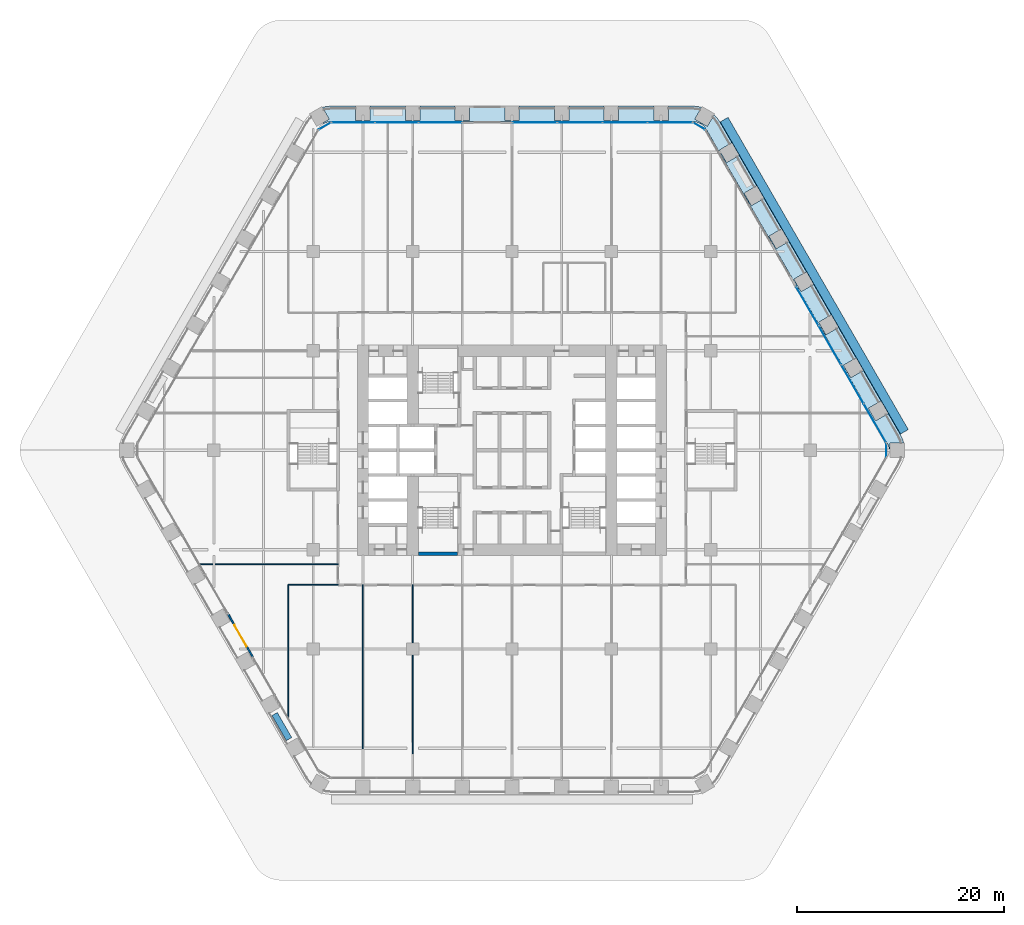
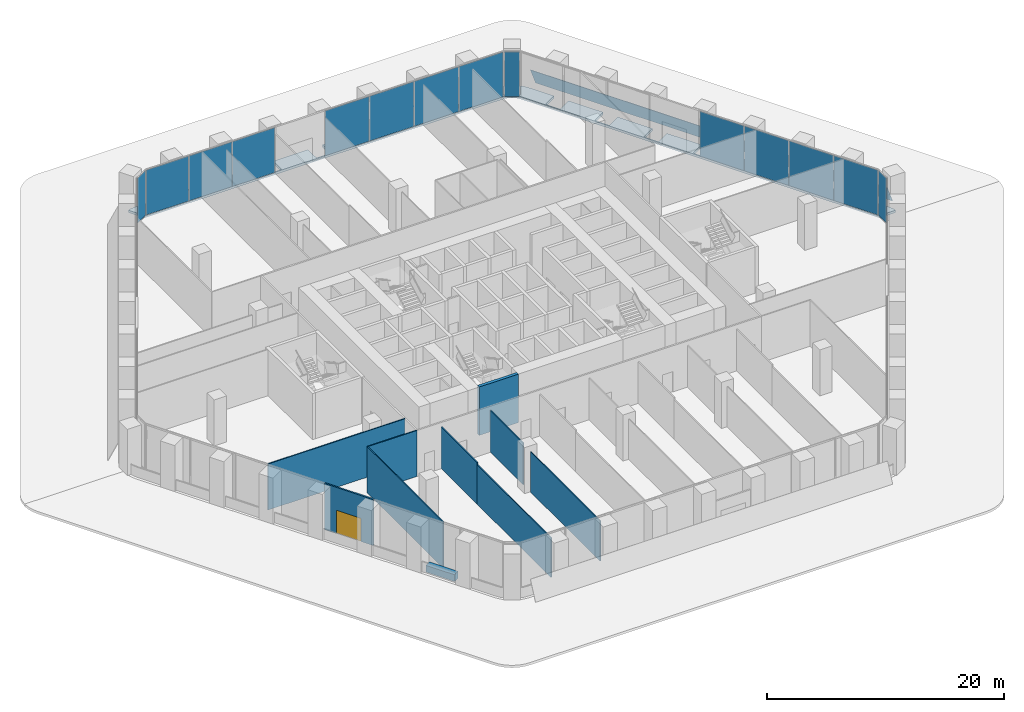
# One storey, part 18 of 29: 15 plates, 10 walls, 2 slabs, 1 door, 1 opening, 6 elements without a shape of their own.
"""IFC4 building model written with IfcOpenShell, lengths in metres."""

from ifc_helpers import new_model, si_unit, direction, frame, frame_2d, origin, origin_2d, place, context, subcontext, project, spatial, polyline, rectangle, outline, extrude, material, layer, layer_set, type_object, element, fill, aggregate, save


model = new_model("IFC4")

# Units and contexts
model_context = context("Model", 3, precision=1e-05, world=origin(), true_north=direction((0.0, 1.0)))
body_context = subcontext(model_context, "Body", "Model", "MODEL_VIEW")
ifc_project = project(units=[si_unit("LENGTHUNIT", "METRE"), si_unit("AREAUNIT", "SQUARE_METRE"), si_unit("VOLUMEUNIT", "CUBIC_METRE"), si_unit("PLANEANGLEUNIT", "RADIAN"), si_unit("MASSUNIT", "GRAM", prefix="KILO")], contexts=[model_context])

# Site, building, storey
site_placement = place(None, origin())
site = spatial("IfcSite", under=ifc_project, at=site_placement, CompositionType="ELEMENT")
building_placement = place(site_placement, origin())
building = spatial("IfcBuilding", under=site, at=building_placement, Name="Kolab Exchange Tower", CompositionType="ELEMENT")
storey_placement = place(building_placement, frame((0.0, 0.0, 17.39990234375)))
storey = spatial("IfcBuildingStorey", under=building, at=storey_placement, Name="L03", CompositionType="ELEMENT", Elevation=17.39990234375)

# Slabs
ifc_material_1 = material(Name="Concrete C35/45", Category="concrete")
ifc_layer_1 = layer(ifc_material_1, 0.25)
ifc_layer_set_1 = layer_set([ifc_layer_1], Name="Concrete C35/45")
slab_type = type_object("IfcSlabType", Name="LOGGIA SLAB 250", PredefinedType="FLOOR", material=ifc_layer_set_1)
slab_1_placement = place(storey_placement, frame((0.0, 0.0, -0.25)))
element("IfcSlab", 1, at=slab_1_placement, inside=storey, type_object=slab_type, Name="slab/L03/loggia/0-0", PredefinedType="FLOOR", context=body_context, shape_type="SweptSolid", body=[
    extrude(outline(polyline([(18.218017578125, 31.554443359375), (18.26806640625, 31.64111328125), (17.66162109375, 31.990966796875), (18.31494140625, 33.122314453125), (17.989013671875, 33.209716796875), (17.468017578125, 33.25537109375), (15.10009765625, 33.25537109375), (15.10009765625, 31.85546875), (13.699951171875, 31.85546875), (13.699951171875, 33.25537109375), (10.300048828125, 33.25537109375), (10.300048828125, 31.85546875), (8.89990234375, 31.85546875), (8.89990234375, 33.25537109375), (5.5, 33.25537109375), (5.5, 31.85546875), (4.10009765625, 31.85546875), (4.10009765625, 33.25537109375), (0.699951171875, 33.25537109375), (0.699951171875, 31.85546875), (-0.699951171875, 31.85546875), (-0.699951171875, 33.25537109375), (-4.10009765625, 33.25537109375), (-4.10009765625, 31.85546875), (-5.5, 31.85546875), (-5.5, 33.25537109375), (-8.89990234375, 33.25537109375), (-8.89990234375, 31.85546875), (-10.300048828125, 31.85546875), (-10.300048828125, 33.25537109375), (-13.699951171875, 33.25537109375), (-13.699951171875, 31.85546875), (-15.10009765625, 31.85546875), (-15.10009765625, 33.25537109375), (-17.468017578125, 33.25537109375), (-17.989013671875, 33.209716796875), (-18.31494140625, 33.122314453125), (-17.66162109375, 31.990966796875), (-18.26806640625, 31.64111328125), (-18.218017578125, 31.554443359375), (-17.98095703125, 31.664794921875), (-17.728515625, 31.732666015625), (-17.468017578125, 31.75537109375), (17.468017578125, 31.75537109375), (17.728515625, 31.732666015625), (17.98095703125, 31.664794921875), (18.218017578125, 31.554443359375)])), origin(), (0.0, 0.0, 1.0), 0.25),
])
slab_2_placement = place(storey_placement, frame((0.0, 0.0, -0.25)))
element("IfcSlab", 2, at=slab_2_placement, inside=storey, type_object=slab_type, Name="slab/L03/loggia/1-0", PredefinedType="FLOOR", context=body_context, shape_type="SweptSolid", body=[
    extrude(outline(polyline([(36.435791015625, 0.0), (36.535888671875, 0.0), (36.535888671875, 0.699951171875), (37.84228515625, 0.699951171875), (37.7548828125, 1.026123046875), (37.533935546875, 1.5), (36.35009765625, 3.55078125), (35.137451171875, 2.8505859375), (34.4375, 4.063232421875), (35.64990234375, 4.76318359375), (33.949951171875, 7.70751953125), (32.737548828125, 7.007568359375), (32.03759765625, 8.219970703125), (33.25, 8.920166015625), (31.550048828125, 11.864501953125), (30.337646484375, 11.16455078125), (29.637451171875, 12.376953125), (30.85009765625, 13.076904296875), (29.14990234375, 16.021484375), (27.9375, 15.321533203125), (27.237548828125, 16.533935546875), (28.449951171875, 17.23388671875), (26.75, 20.178466796875), (25.53759765625, 19.478271484375), (24.837646484375, 20.69091796875), (26.050048828125, 21.390869140625), (24.35009765625, 24.335205078125), (23.137451171875, 23.63525390625), (22.4375, 24.84765625), (23.64990234375, 25.5478515625), (21.949951171875, 28.4921875), (20.737548828125, 27.792236328125), (20.03759765625, 29.004638671875), (21.25, 29.70458984375), (20.06591796875, 31.75537109375), (19.76611328125, 32.183837890625), (19.52734375, 32.42236328125), (18.874267578125, 31.291015625), (18.26806640625, 31.64111328125), (18.218017578125, 31.554443359375), (18.43212890625, 31.404541015625), (18.616943359375, 31.219482421875), (18.76708984375, 31.00537109375), (36.23486328125, 0.75), (36.345458984375, 0.512939453125), (36.4130859375, 0.260498046875), (36.435791015625, 0.0)])), origin(), (0.0, 0.0, 1.0), 0.25),
])

# Plate
ifc_material_2 = material(Name="Laminated glass, clear", Category="glass")
ifc_layer_2 = layer(ifc_material_2, 0.0400390625)
ifc_layer_set_2 = layer_set([ifc_layer_2], Name="Laminated glass, clear")
plate_type_1 = type_object("IfcPlateType", Name="OUTER SKIN LAMINATED GLASS SHEET 40", PredefinedType="SHEET", material=ifc_layer_set_2)
plate_1_placement = place(storey_placement, frame((20.874755859375, 32.16455078125, 0.027099609375), z_axis=(0.784858761491, 0.453140004368, 0.422682931938), x_axis=(0.500001313459, -0.866024645457, 0.0)))
element("IfcPlate", 3, at=plate_1_placement, inside=storey, type_object=plate_type_1, Name="Outer skin", PredefinedType="SHEET", context=body_context, shape_type="SweptSolid", body=[
    extrude(outline(polyline([(0.0, 0.0), (34.83584598906518, 0.0), (34.83576146664973, -2.0554330275383514), (-8.452241545063784e-05, -2.0554330275383506), (0.0, 0.0)])), origin(), (0.0, 0.0, -1.0), 0.0400390625),
])

# Curtain wall, plates
ifc_material_3 = material(Name="Aluminium EN AW-6063 T6", Category="aluminium")
curtain_wall_type = type_object("IfcCurtainWallType", Name="UNITISED LOW ZONE CURTAIN WALL", PredefinedType="NOTDEFINED", material=ifc_material_3)
curtain_wall_1_placement = place(storey_placement, origin())
curtain_wall_1 = element("IfcCurtainWall", 4, at=curtain_wall_1_placement, inside=storey, type_object=curtain_wall_type, Name="cw/L03/F1-1", PredefinedType="NOTDEFINED")
ifc_material_4 = material(Name="Clear insulated glazing unit", Category="glass")
ifc_layer_3 = layer(ifc_material_4, 0.02392578125)
ifc_layer_set_3 = layer_set([ifc_layer_3], Name="Clear insulated glazing unit")
plate_type_2 = type_object("IfcPlateType", Name="UNITISED LOW ZONE GLASS PANEL 24", PredefinedType="CURTAIN_PANEL", material=ifc_layer_set_3)
plate_2_placement = place(storey_placement, frame((-15.341552734375, 31.67529296875, 0.06005859375), z_axis=(0.0, 0.0, 1.0), x_axis=(1.0, 0.0, 0.0)))
plate_2 = element("IfcPlate", 5, at=plate_2_placement, type_object=plate_type_2, Name="CW1 panel 1.1", PredefinedType="CURTAIN_PANEL", context=body_context, shape_type="SweptSolid", body=[
    extrude(rectangle(XDim=4.132568359375, YDim=0.02392578125, at=origin_2d()), origin(), (0.0, 0.0, 1.0), 4.6298828125),
])
plate_3_placement = place(storey_placement, frame((-11.134033203125, 31.67529296875, 0.06005859375), z_axis=(0.0, 0.0, 1.0), x_axis=(1.0, 0.0, 0.0)))
plate_3 = element("IfcPlate", 6, at=plate_3_placement, type_object=plate_type_2, Name="CW1 panel 2.1", PredefinedType="CURTAIN_PANEL", context=body_context, shape_type="SweptSolid", body=[
    extrude(rectangle(XDim=4.16259765625, YDim=0.02392578125, at=origin_2d()), origin(), (0.0, 0.0, 1.0), 4.6298828125),
])
plate_4_placement = place(storey_placement, frame((-6.92626953125, 31.67529296875, 0.06005859375), z_axis=(0.0, 0.0, 1.0), x_axis=(1.0, 0.0, 0.0)))
plate_4 = element("IfcPlate", 7, at=plate_4_placement, type_object=plate_type_2, Name="CW1 panel 3.1", PredefinedType="CURTAIN_PANEL", context=body_context, shape_type="SweptSolid", body=[
    extrude(rectangle(XDim=4.132568359375, YDim=0.02392578125, at=origin_2d()), origin(), (0.0, 0.0, 1.0), 4.6298828125),
])
aggregate(curtain_wall_1, [plate_2, plate_3, plate_4])

curtain_wall_2_placement = place(storey_placement, origin())
curtain_wall_2 = element("IfcCurtainWall", 8, at=curtain_wall_2_placement, inside=storey, type_object=curtain_wall_type, Name="cw/L03/F1-2", PredefinedType="NOTDEFINED")
plate_5_placement = place(storey_placement, frame((2.198486328125, 31.67529296875, 0.06005859375), z_axis=(0.0, 0.0, 1.0), x_axis=(1.0, 0.0, 0.0)))
plate_5 = element("IfcPlate", 9, at=plate_5_placement, type_object=plate_type_2, Name="CW1 panel 1.1", PredefinedType="CURTAIN_PANEL", context=body_context, shape_type="SweptSolid", body=[
    extrude(rectangle(XDim=4.277099609375, YDim=0.02392578125, at=origin_2d()), origin(), (0.0, 0.0, 1.0), 4.6298828125),
])
plate_6_placement = place(storey_placement, frame((6.550537109375, 31.67529296875, 0.06005859375), z_axis=(0.0, 0.0, 1.0), x_axis=(1.0, 0.0, 0.0)))
plate_6 = element("IfcPlate", 10, at=plate_6_placement, type_object=plate_type_2, Name="CW1 panel 2.1", PredefinedType="CURTAIN_PANEL", context=body_context, shape_type="SweptSolid", body=[
    extrude(rectangle(XDim=4.306884765625, YDim=0.02392578125, at=origin_2d()), origin(), (0.0, 0.0, 1.0), 4.6298828125),
])
plate_7_placement = place(storey_placement, frame((10.91748046875, 31.67529296875, 0.06005859375), z_axis=(0.0, 0.0, 1.0), x_axis=(1.0, 0.0, 0.0)))
plate_7 = element("IfcPlate", 11, at=plate_7_placement, type_object=plate_type_2, Name="CW1 panel 3.1", PredefinedType="CURTAIN_PANEL", context=body_context, shape_type="SweptSolid", body=[
    extrude(rectangle(XDim=4.306884765625, YDim=0.02392578125, at=origin_2d()), origin(), (0.0, 0.0, 1.0), 4.6298828125),
])
plate_8_placement = place(storey_placement, frame((15.26953125, 31.67529296875, 0.06005859375), z_axis=(0.0, 0.0, 1.0), x_axis=(1.0, 0.0, 0.0)))
plate_8 = element("IfcPlate", 12, at=plate_8_placement, type_object=plate_type_2, Name="CW1 panel 4.1", PredefinedType="CURTAIN_PANEL", context=body_context, shape_type="SweptSolid", body=[
    extrude(rectangle(XDim=4.277099609375, YDim=0.02392578125, at=origin_2d()), origin(), (0.0, 0.0, 1.0), 4.6298828125),
])
aggregate(curtain_wall_2, [plate_5, plate_6, plate_7, plate_8])

curtain_wall_3_placement = place(storey_placement, origin())
curtain_wall_3 = element("IfcCurtainWall", 13, at=curtain_wall_3_placement, inside=storey, type_object=curtain_wall_type, Name="cw/L03/F2-2", PredefinedType="NOTDEFINED")
plate_9_placement = place(storey_placement, frame((28.531005859375, 13.933837890625, 0.06005859375), z_axis=(0.0, 0.0, 1.0), x_axis=(0.499999968274, -0.866025422102, 0.0)))
plate_9 = element("IfcPlate", 14, at=plate_9_placement, type_object=plate_type_2, Name="CW1 panel 1.1", PredefinedType="CURTAIN_PANEL", context=body_context, shape_type="SweptSolid", body=[
    extrude(rectangle(XDim=4.277099609375, YDim=0.02392578125, at=origin_2d()), origin(), (0.0, 0.0, 1.0), 4.6298828125),
])
plate_10_placement = place(storey_placement, frame((30.70703125, 10.164794921875, 0.06005859375), z_axis=(0.0, 0.0, 1.0), x_axis=(0.499999968274, -0.866025422102, 0.0)))
plate_10 = element("IfcPlate", 15, at=plate_10_placement, type_object=plate_type_2, Name="CW1 panel 2.1", PredefinedType="CURTAIN_PANEL", context=body_context, shape_type="SweptSolid", body=[
    extrude(rectangle(XDim=4.306884765625, YDim=0.02392578125, at=origin_2d()), origin(), (0.0, 0.0, 1.0), 4.6298828125),
])
plate_11_placement = place(storey_placement, frame((32.890380859375, 6.3828125, 0.06005859375), z_axis=(0.0, 0.0, 1.0), x_axis=(0.499999968274, -0.866025422102, 0.0)))
plate_11 = element("IfcPlate", 16, at=plate_11_placement, type_object=plate_type_2, Name="CW1 panel 3.1", PredefinedType="CURTAIN_PANEL", context=body_context, shape_type="SweptSolid", body=[
    extrude(rectangle(XDim=4.306884765625, YDim=0.02392578125, at=origin_2d()), origin(), (0.0, 0.0, 1.0), 4.6298828125),
])
plate_12_placement = place(storey_placement, frame((35.06640625, 2.614013671875, 0.06005859375), z_axis=(0.0, 0.0, 1.0), x_axis=(0.499999968274, -0.866025422102, 0.0)))
plate_12 = element("IfcPlate", 17, at=plate_12_placement, type_object=plate_type_2, Name="CW1 panel 4.1", PredefinedType="CURTAIN_PANEL", context=body_context, shape_type="SweptSolid", body=[
    extrude(rectangle(XDim=4.277099609375, YDim=0.02392578125, at=origin_2d()), origin(), (0.0, 0.0, 1.0), 4.6298828125),
])
aggregate(curtain_wall_3, [plate_9, plate_10, plate_11, plate_12])

# Curtain wall, plate
curtain_wall_4_placement = place(storey_placement, origin())
curtain_wall_4 = element("IfcCurtainWall", 18, at=curtain_wall_4_placement, inside=storey, type_object=curtain_wall_type, Name="cw/L03/F1F2-corner", PredefinedType="NOTDEFINED")
plate_13_placement = place(storey_placement, frame((18.082763671875, 31.3203125, 0.06005859375), z_axis=(0.0, 0.0, 1.0), x_axis=(0.866025390869, -0.50000002237, 0.0)))
plate_13 = element("IfcPlate", 19, at=plate_13_placement, type_object=plate_type_2, Name="CW1 panel 1.1", PredefinedType="CURTAIN_PANEL", context=body_context, shape_type="SweptSolid", body=[
    extrude(rectangle(XDim=1.300048828125, YDim=0.02392578125, at=origin_2d()), origin(), (0.0, 0.0, 1.0), 4.6298828125),
])
aggregate(curtain_wall_4, [plate_13])

curtain_wall_5_placement = place(storey_placement, origin())
curtain_wall_5 = element("IfcCurtainWall", 20, at=curtain_wall_5_placement, inside=storey, type_object=curtain_wall_type, Name="cw/L03/F2F3-corner", PredefinedType="NOTDEFINED")
plate_14_placement = place(storey_placement, frame((36.165771484375, 0.0, 0.06005859375), z_axis=(0.0, 0.0, 1.0), x_axis=(0.0, -1.0, 0.0)))
plate_14 = element("IfcPlate", 21, at=plate_14_placement, type_object=plate_type_2, Name="CW1 panel 1.1", PredefinedType="CURTAIN_PANEL", context=body_context, shape_type="SweptSolid", body=[
    extrude(rectangle(XDim=1.300048828125, YDim=0.02392578125, at=origin_2d()), origin(), (0.0, 0.0, 1.0), 4.6298828125),
])
aggregate(curtain_wall_5, [plate_14])

curtain_wall_6_placement = place(storey_placement, origin())
curtain_wall_6 = element("IfcCurtainWall", 22, at=curtain_wall_6_placement, inside=storey, type_object=curtain_wall_type, Name="cw/L03/F6F1-corner", PredefinedType="NOTDEFINED")
plate_15_placement = place(storey_placement, frame((-18.082763671875, 31.3203125, 0.06005859375), z_axis=(0.0, 0.0, 1.0), x_axis=(0.866025390869, 0.50000002237, 0.0)))
plate_15 = element("IfcPlate", 23, at=plate_15_placement, type_object=plate_type_2, Name="CW1 panel 1.1", PredefinedType="CURTAIN_PANEL", context=body_context, shape_type="SweptSolid", body=[
    extrude(rectangle(XDim=1.300048828125, YDim=0.02392578125, at=origin_2d()), origin(), (0.0, 0.0, 1.0), 4.6298828125),
])
aggregate(curtain_wall_6, [plate_15])

# Wall, opening, door
ifc_layer_4 = layer(ifc_material_3, 0.159912109375)
ifc_layer_set_4 = layer_set([ifc_layer_4], Name="Aluminium EN AW-6063 T6")
wall_type_1 = type_object("IfcWallType", Name="DOOR SURROUND WALL 160 ALUMINIUM FRAMED", PredefinedType="PARTITIONING", material=ifc_layer_set_4)
wall_1_placement = place(storey_placement, frame((-25.046630859375, -19.96875, 0.0), z_axis=(0.0, 0.0, 1.0), x_axis=(-0.5000167099, 0.866015756104, 0.0)))
wall_1 = element("IfcWall", 24, at=wall_1_placement, inside=storey, type_object=wall_type_1, Name="Door surround wall", PredefinedType="PARTITIONING", context=body_context, shape_type="SweptSolid", body=[
    extrude(rectangle(XDim=4.739990234375, YDim=0.159912109375, at=frame_2d((2.3701171875, 0.0))), origin(), (0.0, 0.0, 1.0), 4.75),
])
opening_placement = place(wall_1_placement, frame((1.169921875, 0.0, 0.0)))
opening = element("IfcOpeningElement", 25, at=opening_placement, cuts=wall_1, Name="Opening GD1-013", PredefinedType="OPENING", context=body_context, shape_type="SweptSolid", body=[
    extrude(rectangle(XDim=2.39990234375, YDim=2.39990234375, at=frame_2d((1.199951171875, 1.199951171875))), frame((0.0, 0.08984375, 0.0), z_axis=(0.0, -1.0, 0.0), x_axis=(1.0, 0.0, 0.0)), (0.0, 0.0, 1.0), 0.179931640625),
])
door_type = type_object("IfcDoorType", Name="LOGGIA SLIDING GLASS DOOR 2400 X 2400", OperationType="DOUBLE_DOOR_SINGLE_SWING", PredefinedType="DOOR", material=ifc_material_3)
door_placement = place(opening_placement, origin())
door = element("IfcDoor", 26, at=door_placement, inside=storey, type_object=door_type, Name="Loggia door", OperationType="DOUBLE_DOOR_SLIDING", OverallHeight=2.39990234375, OverallWidth=2.39990234375, PredefinedType="DOOR", context=body_context, shape_type="SweptSolid", body=[
    extrude(rectangle(XDim=2.39990234375, YDim=2.39990234375, at=frame_2d((1.199951171875, 1.199951171875))), frame((0.0, 0.02490234375, 0.0), z_axis=(0.0, -1.0, 0.0), x_axis=(1.0, 0.0, 0.0)), (0.0, 0.0, 1.0), 0.050048828125),
])
fill(opening, door)

# Walls
ifc_material_5 = material(Name="Gypsum board", Category="gypsum")
ifc_layer_5 = layer(ifc_material_5, 0.10009765625)
ifc_layer_set_5 = layer_set([ifc_layer_5], Name="Gypsum board")
wall_type_2 = type_object("IfcWallType", Name="PARTITION 100", PredefinedType="PARTITIONING", material=ifc_layer_set_5)
wall_2_placement = place(storey_placement, frame((-9.60009765625, -31.58544921875, 0.0), z_axis=(0.0, 0.0, 1.0), x_axis=(0.0, 1.0, 0.0)))
element("IfcWall", 27, at=wall_2_placement, inside=storey, type_object=wall_type_2, Name="Partition 022", PredefinedType="PARTITIONING", context=body_context, shape_type="SweptSolid", body=[
    extrude(rectangle(XDim=11.785400390625, YDim=0.10009765625, at=frame_2d((5.892578125, 0.0))), origin(), (0.0, 0.0, 1.0), 4.14208984375),
])
wall_3_placement = place(storey_placement, frame((-9.60009765625, -18.60009765625, 0.0), z_axis=(0.0, 0.0, 1.0), x_axis=(0.0, 1.0, 0.0)))
element("IfcWall", 28, at=wall_3_placement, inside=storey, type_object=wall_type_2, Name="Partition 023", PredefinedType="PARTITIONING", context=body_context, shape_type="SweptSolid", body=[
    extrude(rectangle(XDim=5.60009765625, YDim=0.10009765625, at=frame_2d((2.800048828125, 0.0))), origin(), (0.0, 0.0, 1.0), 4.293212890625),
])
wall_4_placement = place(storey_placement, frame((-14.39990234375, -31.58544921875, 0.0), z_axis=(0.0, 0.0, 1.0), x_axis=(0.0, 1.0, 0.0)))
element("IfcWall", 29, at=wall_4_placement, inside=storey, type_object=wall_type_2, Name="Partition 029", PredefinedType="PARTITIONING", context=body_context, shape_type="SweptSolid", body=[
    extrude(rectangle(XDim=12.472412109375, YDim=0.10009765625, at=frame_2d((6.236328125, 0.0))), origin(), (0.0, 0.0, 1.0), 4.066162109375),
])
wall_5_placement = place(storey_placement, frame((-14.39990234375, -19.113037109375, 0.0), z_axis=(0.0, 0.0, 1.0), x_axis=(0.0, 1.0, 0.0)))
element("IfcWall", 30, at=wall_5_placement, inside=storey, type_object=wall_type_2, Name="Partition 029", PredefinedType="PARTITIONING", context=body_context, shape_type="SweptSolid", body=[
    extrude(rectangle(XDim=6.113037109375, YDim=0.10009765625, at=frame_2d((3.056640625, 0.0))), origin(), (0.0, 0.0, 1.0), 4.293212890625),
])
wall_6_placement = place(storey_placement, frame((-21.60009765625, -25.8583984375, 0.0), z_axis=(0.0, 0.0, 1.0), x_axis=(0.0, 1.0, 0.0)))
element("IfcWall", 31, at=wall_6_placement, inside=storey, type_object=wall_type_2, Name="Partition 032", PredefinedType="PARTITIONING", context=body_context, shape_type="SweptSolid", body=[
    extrude(rectangle(XDim=12.8583984375, YDim=0.10009765625, at=frame_2d((6.42919921875, 0.0))), origin(), (0.0, 0.0, 1.0), 4.75),
])
wall_7_placement = place(storey_placement, frame((-21.60009765625, -13.0, 0.0), z_axis=(0.0, 0.0, 1.0), x_axis=(1.0, 0.0, 0.0)))
element("IfcWall", 32, at=wall_7_placement, inside=storey, type_object=wall_type_2, Name="Partition 034", PredefinedType="PARTITIONING", context=body_context, shape_type="SweptSolid", body=[
    extrude(rectangle(XDim=4.800048828125, YDim=0.10009765625, at=frame_2d((2.39990234375, 0.0))), origin(), (0.0, 0.0, 1.0), 4.75),
])
wall_8_placement = place(storey_placement, frame((-30.178466796875, -11.0, 0.0), z_axis=(0.0, 0.0, 1.0), x_axis=(1.0, 0.0, 0.0)))
element("IfcWall", 33, at=wall_8_placement, inside=storey, type_object=wall_type_2, Name="Partition 037", PredefinedType="PARTITIONING", context=body_context, shape_type="SweptSolid", body=[
    extrude(rectangle(XDim=13.37841796875, YDim=0.10009765625, at=frame_2d((6.689208984375, 0.0))), origin(), (0.0, 0.0, 1.0), 4.75),
])
ifc_material_6 = material(Name="Granite facing", Category="masonry")
ifc_layer_6 = layer(ifc_material_6, 0.0400390625)
ifc_material_7 = material(Name="Concrete C40/50 precast", Category="concrete")
ifc_layer_7 = layer(ifc_material_7, 0.56005859375)
ifc_layer_set_6 = layer_set([ifc_layer_6, ifc_layer_7], Name="Concrete C40/50 precast")
wall_type_3 = type_object("IfcWallType", Name="PLANTER BOX 600 X 700 SOIL DEPTH 550", PredefinedType="USERDEFINED", material=ifc_layer_set_6)
wall_9_placement = place(storey_placement, frame((-21.537109375, -27.907470703125, 0.0), z_axis=(0.0, 0.0, 1.0), x_axis=(-0.49998411664, 0.866034573852, 0.0)))
element("IfcWall", 34, at=wall_9_placement, inside=storey, type_object=wall_type_3, Name="Planter", ObjectType="PLANTER", PredefinedType="USERDEFINED", context=body_context, shape_type="SweptSolid", body=[
    extrude(rectangle(XDim=2.7998046875, YDim=0.60009765625, at=frame_2d((1.39990234375, 0.0))), origin(), (0.0, 0.0, 1.0), 0.7001953125),
])
ifc_material_8 = material(Name="Concrete C50/60", Category="concrete")
ifc_layer_8 = layer(ifc_material_8, 0.300048828125)
ifc_layer_set_7 = layer_set([ifc_layer_8], Name="Concrete C50/60")
wall_type_4 = type_object("IfcWallType", Name="STAIR ENCLOSURE WALL 300 C50/60", PredefinedType="STANDARD", material=ifc_layer_set_7)
wall_10_placement = place(storey_placement, frame((-9.050048828125, -10.0, -0.25), z_axis=(0.0, 0.0, 1.0), x_axis=(1.0, 0.0, 0.0)))
element("IfcWall", 35, at=wall_10_placement, inside=storey, type_object=wall_type_4, Name="wall/L03/core/000", PredefinedType="STANDARD", context=body_context, shape_type="SweptSolid", body=[
    extrude(rectangle(XDim=3.800048828125, YDim=0.300048828125, at=frame_2d((1.89990234375, 0.0))), origin(), (0.0, 0.0, 1.0), 5.0),
])

save(model, "model.ifc")
